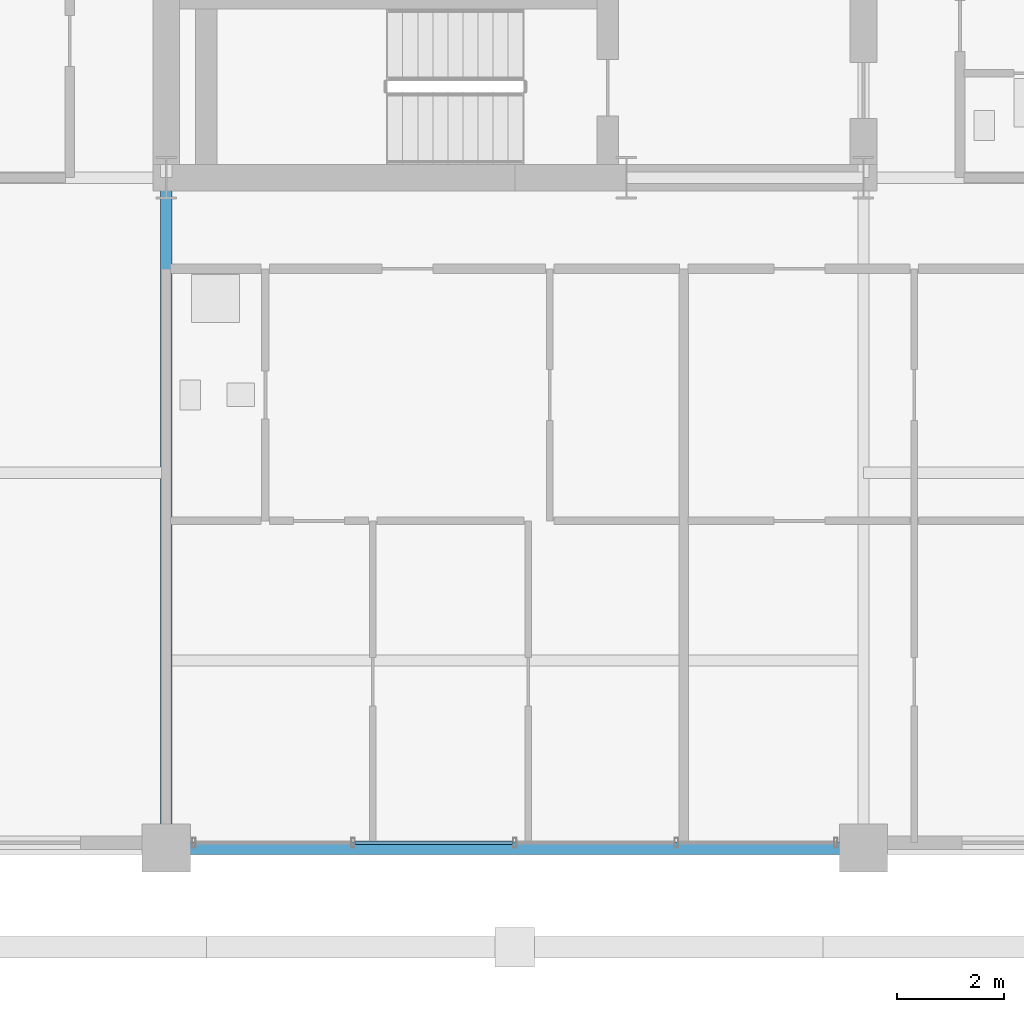
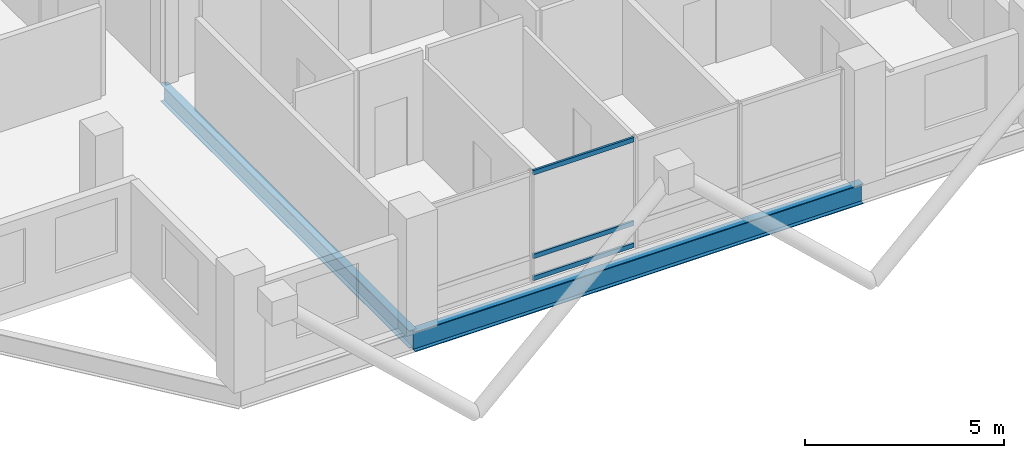
# One storey, part 4 of 23: 3 members, 2 beams, 1 element without a shape of its own.
"""IFC4 building model written with IfcOpenShell, lengths in metres."""

import ifcopenshell
import ifcopenshell.guid

model = None  # the IFC model being written
_history = None  # IfcOwnerHistory: only IFC2X3 demands one
_inside = {}  # id of a spatial element -> (the spatial element, [elements in it])
_under = {}  # id of a project, library or spatial element -> (it, [spatial elements below it])
_declared = {}  # id of a project -> (the project, [libraries it declares])
_typed = {}  # id of a type object -> (the type object, [elements of that type])
_made_of = {}  # id of a material, layer set ... -> (it, [elements and type objects made of it])


def new_model(schema):
    """Start an empty IFC model of exactly this schema.

    Asked for "IFC4X3", IfcOpenShell would pick the latest addendum, in which some entities
    have other attributes; the version numbers below select the first issue.
    IFC2X3 requires an IfcOwnerHistory on every rooted entity: one is made here for all.
    """
    global model, _history
    if schema == "IFC4X3":
        model = ifcopenshell.file(schema_version=(4, 3, 0, 0))
    else:
        model = ifcopenshell.file(schema=schema)
    _inside.clear()
    _under.clear()
    _declared.clear()
    _typed.clear()
    _made_of.clear()
    _history = None
    if model.schema == "IFC2X3":
        org = make("IfcOrganization", Name="unknown")
        user = make(
            "IfcPersonAndOrganization",
            ThePerson=make("IfcPerson", FamilyName="unknown"),
            TheOrganization=org,
        )
        app = make(
            "IfcApplication",
            ApplicationDeveloper=org,
            Version="unknown",
            ApplicationFullName="unknown",
            ApplicationIdentifier="unknown",
        )
        _history = make(
            "IfcOwnerHistory",
            OwningUser=user,
            OwningApplication=app,
            ChangeAction="ADDED",
            CreationDate=0,
        )
    return model


def make(cls, **values):
    """One entity of the class cls with the attributes given. An attribute that is None is left unset."""
    return model.create_entity(
        cls, **{name: value for name, value in values.items() if value is not None}
    )


def rooted(cls, **values):
    """An entity with a GlobalId (a new one), such as an element, a storey or a relation."""
    return make(cls, GlobalId=ifcopenshell.guid.new(), OwnerHistory=_history, **values)


def si_unit(unit_type, name, prefix=None):
    """IfcSIUnit, for example si_unit("LENGTHUNIT", "METRE", prefix="MILLI")."""
    return make("IfcSIUnit", UnitType=unit_type, Prefix=prefix, Name=name)


def assignment(units):
    """IfcUnitAssignment: the units of a project."""
    return None if units is None else make("IfcUnitAssignment", Units=units)


def point(xyz):
    """IfcCartesianPoint."""
    return None if xyz is None else make("IfcCartesianPoint", Coordinates=xyz)


def direction(xyz):
    """IfcDirection."""
    return None if xyz is None else make("IfcDirection", DirectionRatios=xyz)


def frame(location, z_axis=None, x_axis=None):
    """IfcAxis2Placement3D, a coordinate frame: its origin and axes. An axis left out is left unset."""
    return make(
        "IfcAxis2Placement3D",
        Location=point(location),
        Axis=direction(z_axis),
        RefDirection=direction(x_axis),
    )


def frame_2d(location, x_axis=None):
    """IfcAxis2Placement2D, a coordinate frame in the plane: its origin and x axis."""
    return make(
        "IfcAxis2Placement2D", Location=point(location), RefDirection=direction(x_axis)
    )


def origin():
    """The frame at (0, 0, 0) with its axes left unset."""
    return frame((0.0, 0.0, 0.0))


def origin_2d():
    """The frame at (0, 0) in the plane with its x axis left unset."""
    return frame_2d((0.0, 0.0))


def place(relative_to, where):
    """IfcLocalPlacement: puts the frame where relative to a parent placement (None: the world)."""
    return make(
        "IfcLocalPlacement", PlacementRelTo=relative_to, RelativePlacement=where
    )


def context(
    kind, dimensions, precision=None, world=None, true_north=None, identifier=None
):
    """IfcGeometricRepresentationContext, for example the 3D "Model" context."""
    return make(
        "IfcGeometricRepresentationContext",
        ContextIdentifier=identifier,
        ContextType=kind,
        CoordinateSpaceDimension=dimensions,
        Precision=precision,
        WorldCoordinateSystem=world,
        TrueNorth=true_north,
    )


def subcontext(parent, identifier, kind, view, scale=None):
    """IfcGeometricRepresentationSubContext, for example "Body" below "Model"."""
    return make(
        "IfcGeometricRepresentationSubContext",
        ContextIdentifier=identifier,
        ContextType=kind,
        ParentContext=parent,
        TargetScale=scale,
        TargetView=view,
    )


def project(units=None, contexts=None):
    """IfcProject with its units and contexts."""
    return rooted(
        "IfcProject",
        Name="project",
        RepresentationContexts=contexts,
        UnitsInContext=assignment(units),
    )


def spatial(cls, under=None, at=None, **own):
    """A site, building, storey or space (cls), placed at a placement, below another one or the project."""
    s = rooted(cls, ObjectPlacement=at, **own)
    if under is not None:
        _under.setdefault(under.id(), (under, []))[1].append(s)
    return s


def profile(cls, at=None, kind="AREA", **sizes):
    """A parametric profile (cls). Its sizes go by their IFC names, for example OverallWidth=200.0."""
    return make(cls, ProfileType=kind, Position=at, **sizes)


def hollow_rectangle(**sizes):
    """IfcRectangleHollowProfileDef."""
    return profile("IfcRectangleHollowProfileDef", **sizes)


def i_section(**sizes):
    """IfcIShapeProfileDef."""
    return profile("IfcIShapeProfileDef", **sizes)


def extrude(swept, where, along, depth):
    """IfcExtrudedAreaSolid: the profile swept, set in the frame where, extruded along a direction by depth."""
    return make(
        "IfcExtrudedAreaSolid",
        SweptArea=swept,
        Position=where,
        ExtrudedDirection=direction(along),
        Depth=depth,
    )


def shape(context_of_items, identifier, shape_type, items):
    """IfcShapeRepresentation: the items that make up one representation, for example the "Body"."""
    return make(
        "IfcShapeRepresentation",
        ContextOfItems=context_of_items,
        RepresentationIdentifier=identifier,
        RepresentationType=shape_type,
        Items=items,
    )


def material(Name=None, Category=None):
    """IfcMaterial."""
    return make("IfcMaterial", Name=Name, Category=Category)


def layer(
    of_material, thickness, ventilated=None, Name=None, Category=None, Priority=None
):
    """IfcMaterialLayer: one layer of a wall or slab, of a material (None: an air gap)."""
    return make(
        "IfcMaterialLayer",
        Material=of_material,
        LayerThickness=thickness,
        IsVentilated=ventilated,
        Name=Name,
        Category=Category,
        Priority=Priority,
    )


def layer_set(layers, Name=None):
    """IfcMaterialLayerSet."""
    return make("IfcMaterialLayerSet", MaterialLayers=layers, LayerSetName=Name)


def material_profile(
    of_material, cross_section, Name=None, Category=None, Priority=None
):
    """IfcMaterialProfile: a cross section and its material."""
    return make(
        "IfcMaterialProfile",
        Name=Name,
        Material=of_material,
        Profile=cross_section,
        Priority=Priority,
        Category=Category,
    )


def profile_set(profiles, Name=None, composite=None):
    """IfcMaterialProfileSet."""
    return make(
        "IfcMaterialProfileSet",
        Name=Name,
        MaterialProfiles=profiles,
        CompositeProfile=composite,
    )


def made_of(thing, what):
    """Note that an element or type object is made of a material, layer set ...; save() writes the relation."""
    if what is not None:
        _made_of.setdefault(what.id(), (what, []))[1].append(thing)
    return thing


def type_object(cls, material=None, **own):
    """A type object (cls), such as IfcWallType, which elements share."""
    return made_of(rooted(cls, **own), material)


def element(
    cls,
    number,
    at=None,
    inside=None,
    cuts=None,
    type_object=None,
    material=None,
    context=None,
    identifier="Body",
    shape_type=None,
    held_by="IfcProductDefinitionShape",
    body=None,
    shapes=None,
    **own,
):
    """One element of the class cls, such as IfcWall. Its Tag is "e" and its number.

    at: its placement. inside: the storey or other place that contains it. cuts: it is an
    opening in that element (IfcRelVoidsElement). A single representation is given by context,
    identifier, shape_type and body (its items); several are given by shapes. held_by: the class
    of the entity that holds the representations. save() writes the other relations.
    """
    e = rooted(cls, Tag="e%d" % number, ObjectPlacement=at, **own)
    if body is not None:
        shapes = [shape(context, identifier, shape_type, body)]
    if shapes is not None:
        e.Representation = make(held_by, Representations=shapes)
    if inside is not None:
        _inside.setdefault(inside.id(), (inside, []))[1].append(e)
    if cuts is not None:
        rooted(
            "IfcRelVoidsElement", RelatingBuildingElement=cuts, RelatedOpeningElement=e
        )
    if type_object is not None:
        _typed.setdefault(type_object.id(), (type_object, []))[1].append(e)
    return made_of(e, material)


def aggregate(whole, parts):
    """IfcRelAggregates: a whole, such as a stair, and the parts it consists of."""
    return rooted("IfcRelAggregates", RelatingObject=whole, RelatedObjects=parts)


def save(model, path):
    """Write the relations noted so far, then the file.

    IfcRelAggregates (storeys below a building ...), IfcRelContainedInSpatialStructure (elements
    in a storey), IfcRelDefinesByType, IfcRelAssociatesMaterial and IfcRelDeclares: one each for
    every whole, place, type object, material and project.
    """
    for whole, parts in _under.values():
        aggregate(whole, parts)
    for where, things in _inside.values():
        rooted(
            "IfcRelContainedInSpatialStructure",
            RelatedElements=things,
            RelatingStructure=where,
        )
    for kind, things in _typed.values():
        rooted("IfcRelDefinesByType", RelatedObjects=things, RelatingType=kind)
    for what, things in _made_of.values():
        rooted("IfcRelAssociatesMaterial", RelatedObjects=things, RelatingMaterial=what)
    for by, libraries in _declared.values():
        rooted("IfcRelDeclares", RelatingContext=by, RelatedDefinitions=libraries)
    model.write(path)


model = new_model("IFC4")

# Units and contexts
model_context = context("Model", 3, precision=1e-05, world=origin(), true_north=direction((0.0, 1.0)))
body_context = subcontext(model_context, "Body", "Model", "MODEL_VIEW")
ifc_project = project(units=[si_unit("LENGTHUNIT", "METRE"), si_unit("AREAUNIT", "SQUARE_METRE"), si_unit("VOLUMEUNIT", "CUBIC_METRE"), si_unit("PLANEANGLEUNIT", "RADIAN"), si_unit("MASSUNIT", "GRAM", prefix="KILO")], contexts=[model_context])

# Site, building, storey
site_placement = place(None, origin())
site = spatial("IfcSite", under=ifc_project, at=site_placement, CompositionType="ELEMENT")
building_placement = place(site_placement, origin())
building = spatial("IfcBuilding", under=site, at=building_placement, Name="Barlavira Tower and Art Museum", CompositionType="ELEMENT")
storey_placement = place(building_placement, frame((0.0, 0.0, 236.699951171875)))
storey = spatial("IfcBuildingStorey", under=building, at=storey_placement, Name="L61", CompositionType="ELEMENT", Elevation=236.699951171875)

# Curtain wall, members
ifc_material_1 = material(Name="Low-iron coastal laminated glass", Category="glass")
ifc_layer = layer(ifc_material_1, 0.2099609375, Name="Low-iron coastal laminated glass")
ifc_layer_set = layer_set([ifc_layer], Name="Low-iron coastal laminated glass")
curtain_wall_type = type_object("IfcCurtainWallType", Name="Pale-Metal Unitised Curtain Wall Zone 4", PredefinedType="NOTDEFINED", material=ifc_layer_set)
curtain_wall_placement = place(storey_placement, origin())
curtain_wall = element("IfcCurtainWall", 1, at=curtain_wall_placement, inside=storey, type_object=curtain_wall_type, Name="L61 Curtain Wall CW4-L61-S-B2", PredefinedType="NOTDEFINED")
ifc_material_2 = material(Name="Pale anodised aluminium", Category="aluminium")
ifc_material_profile_1 = material_profile(ifc_material_2, hollow_rectangle(XDim=0.06494140625, YDim=0.139892578125, WallThickness=0.00390625, at=origin_2d()), Name="ALU-TRAN 65x140x4")
ifc_profile_set_1 = profile_set([ifc_material_profile_1], Name="Pale anodised aluminium")
member_type = type_object("IfcMemberType", Name="Curtain Wall Pale-Metal Transom 65x140", PredefinedType="USERDEFINED", material=ifc_profile_set_1)
member_1_placement = place(storey_placement, frame((-2.969970703125, -19.89990234375, 0.070068359375), z_axis=(1.0, 0.0, 0.0), x_axis=(0.0, 1.0, 0.0)))
member_1 = element("IfcMember", 2, at=member_1_placement, type_object=member_type, Name="CW4-L61-S-B2 Transom 1.1", ObjectType="TRANSOM", PredefinedType="USERDEFINED", context=body_context, shape_type="SweptSolid", body=[
    extrude(hollow_rectangle(XDim=0.06494140625, YDim=0.139892578125, WallThickness=0.00390625, at=origin_2d()), origin(), (0.0, 0.0, 1.0), 2.925048828125),
])
member_2_placement = place(storey_placement, frame((-2.969970703125, -19.89990234375, 0.744140625), z_axis=(1.0, 0.0, 0.0), x_axis=(0.0, 1.0, 0.0)))
member_2 = element("IfcMember", 3, at=member_2_placement, type_object=member_type, Name="CW4-L61-S-B2 Transom 1.2", ObjectType="TRANSOM", PredefinedType="USERDEFINED", context=body_context, shape_type="SweptSolid", body=[
    extrude(hollow_rectangle(XDim=0.06494140625, YDim=0.139892578125, WallThickness=0.00390625, at=origin_2d()), origin(), (0.0, 0.0, 1.0), 2.925048828125),
])
member_3_placement = place(storey_placement, frame((-2.969970703125, -19.89990234375, 3.31005859375), z_axis=(1.0, 0.0, 0.0), x_axis=(0.0, 1.0, 0.0)))
member_3 = element("IfcMember", 4, at=member_3_placement, type_object=member_type, Name="CW4-L61-S-B2 Transom 1.3", ObjectType="TRANSOM", PredefinedType="USERDEFINED", context=body_context, shape_type="SweptSolid", body=[
    extrude(hollow_rectangle(XDim=0.06494140625, YDim=0.139892578125, WallThickness=0.00390625, at=origin_2d()), origin(), (0.0, 0.0, 1.0), 2.925048828125),
])
aggregate(curtain_wall, [member_1, member_2, member_3])

# Beams
ifc_material_3 = material(Name="Steel S355", Category="steel")
ifc_material_profile_2 = material_profile(ifc_material_3, i_section(OverallWidth=0.22998046875, OverallDepth=0.616943359375, WebThickness=0.01318359375, FlangeThickness=0.022216796875, at=origin_2d()), Name="W610x140.0")
ifc_profile_set_2 = profile_set([ifc_material_profile_2], Name="Steel S355")
beam_type_1 = type_object("IfcBeamType", Name="Upper Shaft Spandrel Edge Beam W610x140 Steel S355", PredefinedType="SPANDREL", material=ifc_profile_set_2)
beam_1_placement = place(storey_placement, frame((-6.5, -20.0, -0.528564453125), z_axis=(1.0, 0.0, 0.0), x_axis=(0.0, 1.0, 0.0)))
element("IfcBeam", 5, at=beam_1_placement, inside=storey, type_object=beam_type_1, Name="L61 Spandrel 2", PredefinedType="SPANDREL", context=body_context, shape_type="SweptSolid", body=[
    extrude(i_section(OverallWidth=0.22998046875, OverallDepth=0.616943359375, WebThickness=0.01318359375, FlangeThickness=0.022216796875, at=origin_2d()), origin(), (0.0, 0.0, 1.0), 13.0),
])
ifc_material_profile_3 = material_profile(ifc_material_3, i_section(OverallWidth=0.2109375, OverallDepth=0.5390625, WebThickness=0.01171875, FlangeThickness=0.018798828125, at=origin_2d()), Name="W530x109.0")
ifc_profile_set_3 = profile_set([ifc_material_profile_3], Name="Steel S355")
beam_type_2 = type_object("IfcBeamType", Name="Zone 3-4 Primary Floor Girder W530x109 Steel S355", PredefinedType="BEAM", material=ifc_profile_set_3)
beam_2_placement = place(storey_placement, frame((-6.5, -20.0, -0.489501953125), z_axis=(0.0, 1.0, 0.0), x_axis=(-1.0, 0.0, 0.0)))
element("IfcBeam", 6, at=beam_2_placement, inside=storey, type_object=beam_type_2, Name="L61 Girder R-S1", PredefinedType="BEAM", context=body_context, shape_type="SweptSolid", body=[
    extrude(i_section(OverallWidth=0.2109375, OverallDepth=0.5390625, WebThickness=0.01171875, FlangeThickness=0.018798828125, at=origin_2d()), origin(), (0.0, 0.0, 1.0), 12.5),
])

save(model, "model.ifc")
